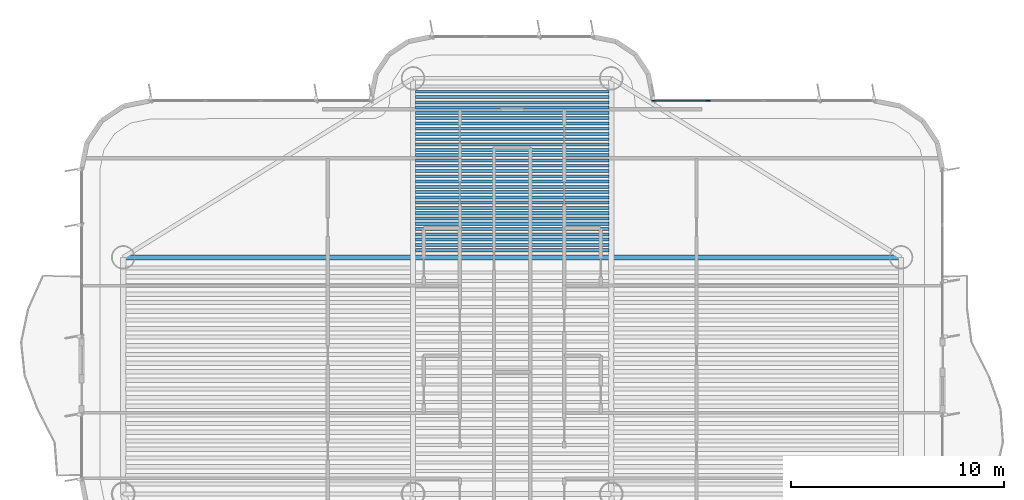
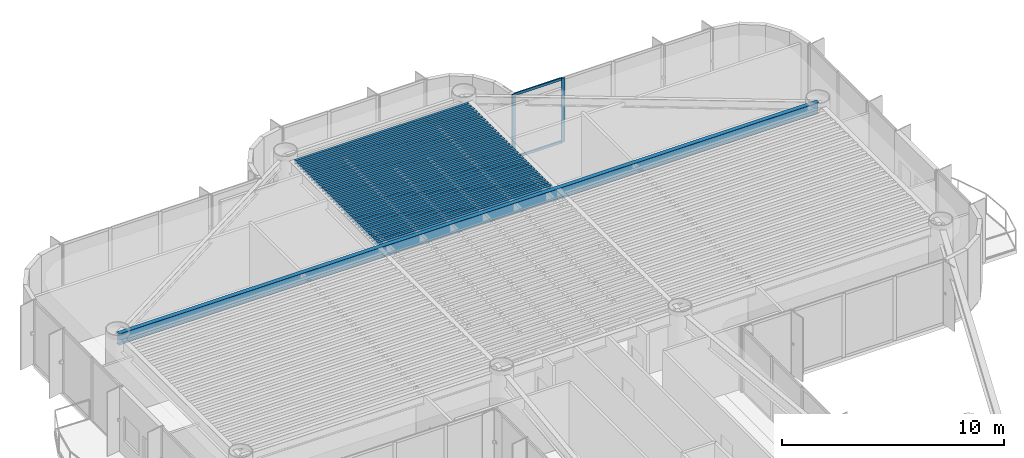
# One storey, part 6 of 15: 32 beams, 4 members, 1 element without a shape of its own.
"""IFC4 building model written with IfcOpenShell, lengths in metres."""

from ifc_helpers import new_model, si_unit, direction, frame, origin, origin_2d, place, context, subcontext, project, spatial, rectangle, i_section, extrude, source, transform, mapped, material, layer, layer_set, material_profile, profile_set, type_object, element, aggregate, save


model = new_model("IFC4")

# Units and contexts
model_context = context("Model", 3, precision=1e-05, world=origin(), true_north=direction((0.0, 1.0)))
body_context = subcontext(model_context, "Body", "Model", "MODEL_VIEW")
ifc_project = project(units=[si_unit("LENGTHUNIT", "METRE"), si_unit("AREAUNIT", "SQUARE_METRE"), si_unit("VOLUMEUNIT", "CUBIC_METRE"), si_unit("PLANEANGLEUNIT", "RADIAN"), si_unit("MASSUNIT", "GRAM", prefix="KILO")], contexts=[model_context])

# Site, building, storey
site_placement = place(None, origin())
site = spatial("IfcSite", under=ifc_project, at=site_placement, CompositionType="ELEMENT")
building_placement = place(site_placement, origin())
building = spatial("IfcBuilding", under=site, at=building_placement, Name="Brelvock Crest Care Tower", CompositionType="ELEMENT")
storey_placement = place(building_placement, frame((0.0, 0.0, 167.760009765625)))
storey = spatial("IfcBuildingStorey", under=building, at=storey_placement, Name="L42", CompositionType="ELEMENT", Elevation=167.760009765625)

# Beams
ifc_material_1 = material(Name="Steel Grade 350", Category="steel")
ifc_material_profile_1 = material_profile(ifc_material_1, i_section(OverallWidth=0.14599609375, OverallDepth=0.256103515625, WebThickness=0.00634765625, FlangeThickness=0.010986328125, FilletRadius=0.0087890625, at=origin_2d()), Name="250UB37.3")
ifc_profile_set_1 = profile_set([ifc_material_profile_1], Name="Steel Grade 350")
beam_type_1 = type_object("IfcBeamType", Name="BM-J3", PredefinedType="JOIST", material=ifc_profile_set_1)
shared_shape_1 = source(origin(), body_context, "Body", "SweptSolid", [
    extrude(i_section(OverallWidth=0.14599609375, OverallDepth=0.256103515625, WebThickness=0.00634765625, FlangeThickness=0.010986328125, FilletRadius=0.0087890625, at=origin_2d()), origin(), (0.0, 0.0, 1.0), 9.06982421875),
])
for number, where, z_axis, x_axis, name in (
    (1, (31.465087890625, 46.385986328125, 3.402099609375), (1.0, 0.0, 0.0), (0.0, 1.0, 0.0), "BM-JN-L42-1"),
    (2, (31.465087890625, 46.6337890625, 3.402099609375), (1.0, 0.0, 0.0), (0.0, 1.0, 0.0), "BM-JN-L42-2"),
    (3, (31.465087890625, 46.881591796875, 3.402099609375), (1.0, 0.0, 0.0), (0.0, 1.0, 0.0), "BM-JN-L42-3"),
    (4, (31.465087890625, 47.12939453125, 3.402099609375), (1.0, 0.0, 0.0), (0.0, 1.0, 0.0), "BM-JN-L42-4"),
    (5, (31.465087890625, 47.377197265625, 3.402099609375), (1.0, 0.0, 0.0), (0.0, 1.0, 0.0), "BM-JN-L42-5"),
    (6, (31.465087890625, 47.625, 3.402099609375), (1.0, 0.0, 0.0), (0.0, 1.0, 0.0), "BM-JN-L42-6"),
    (7, (31.465087890625, 47.872802734375, 3.402099609375), (1.0, 0.0, 0.0), (0.0, 1.0, 0.0), "BM-JN-L42-7"),
    (8, (31.465087890625, 48.12060546875, 3.402099609375), (1.0, 0.0, 0.0), (0.0, 1.0, 0.0), "BM-JN-L42-8"),
    (9, (31.465087890625, 48.368408203125, 3.402099609375), (1.0, 0.0, 0.0), (0.0, 1.0, 0.0), "BM-JN-L42-9"),
    (10, (31.465087890625, 48.6162109375, 3.402099609375), (1.0, 0.0, 0.0), (0.0, 1.0, 0.0), "BM-JN-L42-10"),
    (11, (31.465087890625, 48.864013671875, 3.402099609375), (1.0, 0.0, 0.0), (0.0, 1.0, 0.0), "BM-JN-L42-11"),
    (12, (31.465087890625, 49.11181640625, 3.402099609375), (1.0, 0.0, 0.0), (0.0, 1.0, 0.0), "BM-JN-L42-12"),
    (13, (31.465087890625, 49.359619140625, 3.402099609375), (1.0, 0.0, 0.0), (0.0, 1.0, 0.0), "BM-JN-L42-13"),
):
    element("IfcBeam", number, at=place(storey_placement, frame(where, z_axis=z_axis, x_axis=x_axis)), inside=storey, type_object=beam_type_1, Name=name, PredefinedType="JOIST", context=body_context, shape_type="MappedRepresentation", body=[
        mapped(shared_shape_1, transform((0.0, 0.0, 0.0), x_axis=(1.0, 0.0, 0.0), y_axis=(0.0, 1.0, 0.0), z_axis=(0.0, 0.0, 1.0), scale=1.0)),
    ])
ifc_material_profile_2 = material_profile(ifc_material_1, i_section(OverallWidth=0.134033203125, OverallDepth=0.20703125, WebThickness=0.00634765625, FlangeThickness=0.009521484375, FilletRadius=0.0087890625, at=origin_2d()), Name="200UB29.8")
ifc_profile_set_2 = profile_set([ifc_material_profile_2], Name="Steel Grade 350")
beam_type_2 = type_object("IfcBeamType", Name="BM-J4", PredefinedType="JOIST", material=ifc_profile_set_2)
shared_shape_2 = source(origin(), body_context, "Body", "SweptSolid", [
    extrude(i_section(OverallWidth=0.134033203125, OverallDepth=0.20703125, WebThickness=0.00634765625, FlangeThickness=0.009521484375, FilletRadius=0.0087890625, at=origin_2d()), origin(), (0.0, 0.0, 1.0), 9.06982421875),
])
for number, where, z_axis, x_axis, name in (
    (14, (31.465087890625, 49.607421875, 3.426513671875), (1.0, 0.0, 0.0), (0.0, 1.0, 0.0), "BM-JN-L42-14"),
    (15, (31.465087890625, 49.855224609375, 3.426513671875), (1.0, 0.0, 0.0), (0.0, 1.0, 0.0), "BM-JN-L42-15"),
    (16, (31.465087890625, 50.10302734375, 3.426513671875), (1.0, 0.0, 0.0), (0.0, 1.0, 0.0), "BM-JN-L42-16"),
    (17, (31.465087890625, 50.350830078125, 3.426513671875), (1.0, 0.0, 0.0), (0.0, 1.0, 0.0), "BM-JN-L42-17"),
    (18, (31.465087890625, 50.5986328125, 3.426513671875), (1.0, 0.0, 0.0), (0.0, 1.0, 0.0), "BM-JN-L42-18"),
    (19, (31.465087890625, 50.846435546875, 3.426513671875), (1.0, 0.0, 0.0), (0.0, 1.0, 0.0), "BM-JN-L42-19"),
    (20, (31.465087890625, 51.09423828125, 3.426513671875), (1.0, 0.0, 0.0), (0.0, 1.0, 0.0), "BM-JN-L42-20"),
    (21, (31.465087890625, 51.342041015625, 3.426513671875), (1.0, 0.0, 0.0), (0.0, 1.0, 0.0), "BM-JN-L42-21"),
    (22, (31.465087890625, 51.58984375, 3.426513671875), (1.0, 0.0, 0.0), (0.0, 1.0, 0.0), "BM-JN-L42-22"),
    (23, (31.465087890625, 51.837646484375, 3.426513671875), (1.0, 0.0, 0.0), (0.0, 1.0, 0.0), "BM-JN-L42-23"),
    (24, (31.465087890625, 52.08544921875, 3.426513671875), (1.0, 0.0, 0.0), (0.0, 1.0, 0.0), "BM-JN-L42-24"),
    (25, (31.465087890625, 52.333251953125, 3.426513671875), (1.0, 0.0, 0.0), (0.0, 1.0, 0.0), "BM-JN-L42-25"),
    (26, (31.465087890625, 52.5810546875, 3.426513671875), (1.0, 0.0, 0.0), (0.0, 1.0, 0.0), "BM-JN-L42-26"),
    (27, (31.465087890625, 52.828857421875, 3.426513671875), (1.0, 0.0, 0.0), (0.0, 1.0, 0.0), "BM-JN-L42-27"),
    (28, (31.465087890625, 53.07666015625, 3.426513671875), (1.0, 0.0, 0.0), (0.0, 1.0, 0.0), "BM-JN-L42-28"),
    (29, (31.465087890625, 53.324462890625, 3.426513671875), (1.0, 0.0, 0.0), (0.0, 1.0, 0.0), "BM-JN-L42-29"),
    (30, (31.465087890625, 53.572265625, 3.426513671875), (1.0, 0.0, 0.0), (0.0, 1.0, 0.0), "BM-JN-L42-30"),
    (31, (31.465087890625, 53.820068359375, 3.426513671875), (1.0, 0.0, 0.0), (0.0, 1.0, 0.0), "BM-JN-L42-31"),
):
    element("IfcBeam", number, at=place(storey_placement, frame(where, z_axis=z_axis, x_axis=x_axis)), inside=storey, type_object=beam_type_2, Name=name, PredefinedType="JOIST", context=body_context, shape_type="MappedRepresentation", body=[
        mapped(shared_shape_2, transform((0.0, 0.0, 0.0), x_axis=(1.0, 0.0, 0.0), y_axis=(0.0, 1.0, 0.0), z_axis=(0.0, 0.0, 1.0), scale=1.0)),
    ])
ifc_material_profile_3 = material_profile(ifc_material_1, i_section(OverallWidth=0.22900390625, OverallDepth=0.612060546875, WebThickness=0.011962890625, FlangeThickness=0.01953125, FilletRadius=0.013916015625, at=origin_2d()), Name="610UB125")
ifc_profile_set_3 = profile_set([ifc_material_profile_3], Name="Steel Grade 350")
beam_type_3 = type_object("IfcBeamType", Name="BM-G1", PredefinedType="BEAM", material=ifc_profile_set_3)
shared_shape_3 = source(origin(), body_context, "Body", "SweptSolid", [
    extrude(i_section(OverallWidth=0.22900390625, OverallDepth=0.612060546875, WebThickness=0.011962890625, FlangeThickness=0.01953125, FilletRadius=0.013916015625, at=origin_2d()), origin(), (0.0, 0.0, 1.0), 36.5),
])
beam_placement = place(storey_placement, frame((17.75, 46.050048828125, 3.223876953125), z_axis=(1.0, 0.0, 0.0), x_axis=(0.0, 1.0, 0.0)))
element("IfcBeam", 32, at=beam_placement, inside=storey, type_object=beam_type_3, Name="BM-TWR-L42-11", PredefinedType="BEAM", context=body_context, shape_type="MappedRepresentation", body=[
    mapped(shared_shape_3, transform((0.0, 0.0, 0.0), x_axis=(1.0, 0.0, 0.0), y_axis=(0.0, 1.0, 0.0), z_axis=(0.0, 0.0, 1.0), scale=1.0)),
])

# Curtain wall, members
ifc_material_2 = material(Name="Dark Glass Double Glazed Low-E", Category="glass")
ifc_layer = layer(ifc_material_2, 0.22509765625, Name="CWS-4")
ifc_layer_set = layer_set([ifc_layer], Name="Dark Glass Double Glazed Low-E")
curtain_wall_type = type_object("IfcCurtainWallType", Name="CWS-4", PredefinedType="NOTDEFINED", material=ifc_layer_set)
curtain_wall_placement = place(storey_placement, origin())
curtain_wall = element("IfcCurtainWall", 33, at=curtain_wall_placement, inside=storey, type_object=curtain_wall_type, Name="L42 Curtain Wall E34", PredefinedType="NOTDEFINED")
ifc_material_3 = material(Name="Aluminium 6063-T6", Category="aluminium")
ifc_material_profile_4 = material_profile(ifc_material_3, rectangle(XDim=0.06005859375, YDim=0.179931640625, at=origin_2d()), Name="ALU60x180")
ifc_profile_set_4 = profile_set([ifc_material_profile_4], Name="Aluminium 6063-T6")
member_type_1 = type_object("IfcMemberType", Name="CWM-2", PredefinedType="MULLION", material=ifc_profile_set_4)
shared_shape_4 = source(origin(), body_context, "Body", "SweptSolid", [
    extrude(rectangle(XDim=0.06005859375, YDim=0.179931640625, at=origin_2d()), origin(), (0.0, 0.0, 1.0), 3.530029296875),
])
member_1_placement = place(storey_placement, frame((42.6298828125, 53.39990234375, 0.0), z_axis=(0.0, 0.0, 1.0), x_axis=(0.0, 1.0, 0.0)))
member_1 = element("IfcMember", 34, at=member_1_placement, type_object=member_type_1, Name="CW-4 mullion 1", PredefinedType="MULLION", context=body_context, shape_type="MappedRepresentation", body=[
    mapped(shared_shape_4, transform((0.0, 0.0, 0.0), x_axis=(1.0, 0.0, 0.0), y_axis=(0.0, 1.0, 0.0), z_axis=(0.0, 0.0, 1.0), scale=1.0)),
])
member_2_placement = place(storey_placement, frame((45.199951171875, 53.39990234375, 0.0), z_axis=(0.0, 0.0, 1.0), x_axis=(0.0, 1.0, 0.0)))
member_2 = element("IfcMember", 35, at=member_2_placement, type_object=member_type_1, Name="CW-4 mullion 2", PredefinedType="MULLION", context=body_context, shape_type="MappedRepresentation", body=[
    mapped(shared_shape_4, transform((0.0, 0.0, 0.0), x_axis=(1.0, 0.0, 0.0), y_axis=(0.0, 1.0, 0.0), z_axis=(0.0, 0.0, 1.0), scale=1.0)),
])
ifc_material_profile_5 = material_profile(ifc_material_3, rectangle(XDim=0.06005859375, YDim=0.139892578125, at=origin_2d()), Name="ALU60x140")
ifc_profile_set_5 = profile_set([ifc_material_profile_5], Name="Aluminium 6063-T6")
member_type_2 = type_object("IfcMemberType", Name="CWT-2", PredefinedType="USERDEFINED", material=ifc_profile_set_5)
shared_shape_5 = source(origin(), body_context, "Body", "SweptSolid", [
    extrude(rectangle(XDim=0.06005859375, YDim=0.139892578125, at=origin_2d()), origin(), (0.0, 0.0, 1.0), 2.510009765625),
])
member_3_placement = place(storey_placement, frame((42.659912109375, 53.39990234375, 0.030029296875), z_axis=(1.0, 0.0, 0.0), x_axis=(0.0, 1.0, 0.0)))
member_3 = element("IfcMember", 36, at=member_3_placement, type_object=member_type_2, Name="CW-4 transom 1.1", ObjectType="TRANSOM", PredefinedType="USERDEFINED", context=body_context, shape_type="MappedRepresentation", body=[
    mapped(shared_shape_5, transform((0.0, 0.0, 0.0), x_axis=(1.0, 0.0, 0.0), y_axis=(0.0, 1.0, 0.0), z_axis=(0.0, 0.0, 1.0), scale=1.0)),
])
member_4_placement = place(storey_placement, frame((42.659912109375, 53.39990234375, 3.5), z_axis=(1.0, 0.0, 0.0), x_axis=(0.0, 1.0, 0.0)))
member_4 = element("IfcMember", 37, at=member_4_placement, type_object=member_type_2, Name="CW-4 transom 1.2", ObjectType="TRANSOM", PredefinedType="USERDEFINED", context=body_context, shape_type="MappedRepresentation", body=[
    mapped(shared_shape_5, transform((0.0, 0.0, 0.0), x_axis=(1.0, 0.0, 0.0), y_axis=(0.0, 1.0, 0.0), z_axis=(0.0, 0.0, 1.0), scale=1.0)),
])
aggregate(curtain_wall, [member_1, member_2, member_3, member_4])

save(model, "model.ifc")
